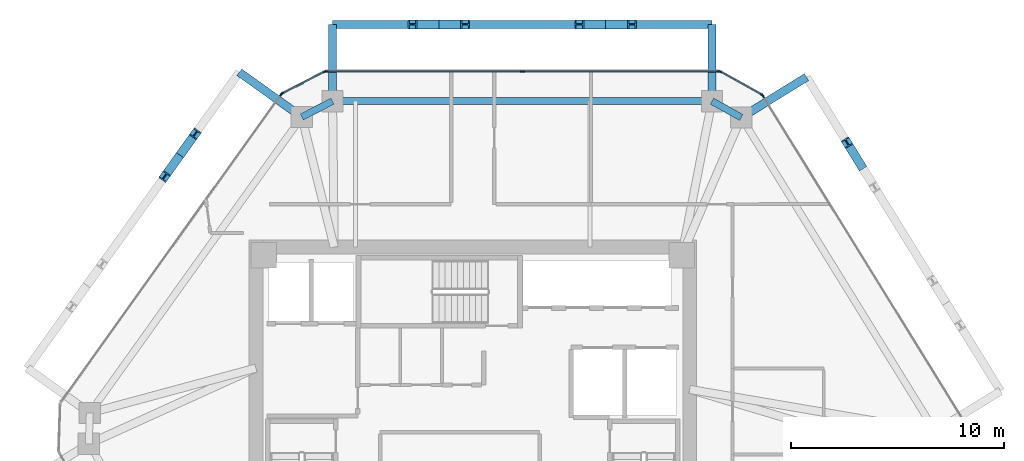
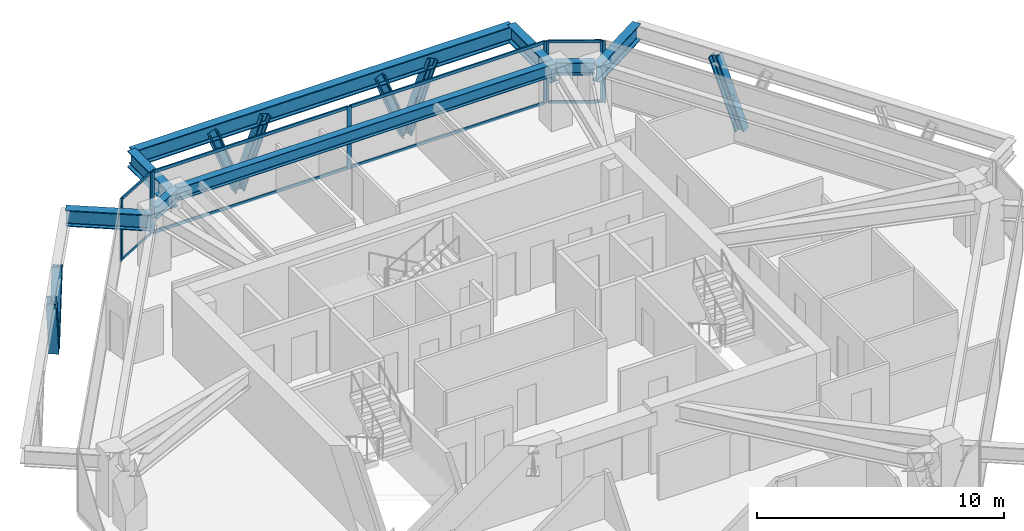
# One storey, part 6 of 11: 24 members, 8 beams, 5 elements without a shape of their own.
"""IFC4 building model written with IfcOpenShell, lengths in metres."""

import ifcopenshell
import ifcopenshell.guid

model = None  # the IFC model being written
_history = None  # IfcOwnerHistory: only IFC2X3 demands one
_inside = {}  # id of a spatial element -> (the spatial element, [elements in it])
_under = {}  # id of a project, library or spatial element -> (it, [spatial elements below it])
_declared = {}  # id of a project -> (the project, [libraries it declares])
_typed = {}  # id of a type object -> (the type object, [elements of that type])
_made_of = {}  # id of a material, layer set ... -> (it, [elements and type objects made of it])


def new_model(schema):
    """Start an empty IFC model of exactly this schema.

    Asked for "IFC4X3", IfcOpenShell would pick the latest addendum, in which some entities
    have other attributes; the version numbers below select the first issue.
    IFC2X3 requires an IfcOwnerHistory on every rooted entity: one is made here for all.
    """
    global model, _history
    if schema == "IFC4X3":
        model = ifcopenshell.file(schema_version=(4, 3, 0, 0))
    else:
        model = ifcopenshell.file(schema=schema)
    _inside.clear()
    _under.clear()
    _declared.clear()
    _typed.clear()
    _made_of.clear()
    _history = None
    if model.schema == "IFC2X3":
        org = make("IfcOrganization", Name="unknown")
        user = make(
            "IfcPersonAndOrganization",
            ThePerson=make("IfcPerson", FamilyName="unknown"),
            TheOrganization=org,
        )
        app = make(
            "IfcApplication",
            ApplicationDeveloper=org,
            Version="unknown",
            ApplicationFullName="unknown",
            ApplicationIdentifier="unknown",
        )
        _history = make(
            "IfcOwnerHistory",
            OwningUser=user,
            OwningApplication=app,
            ChangeAction="ADDED",
            CreationDate=0,
        )
    return model


def make(cls, **values):
    """One entity of the class cls with the attributes given. An attribute that is None is left unset."""
    return model.create_entity(
        cls, **{name: value for name, value in values.items() if value is not None}
    )


def rooted(cls, **values):
    """An entity with a GlobalId (a new one), such as an element, a storey or a relation."""
    return make(cls, GlobalId=ifcopenshell.guid.new(), OwnerHistory=_history, **values)


def si_unit(unit_type, name, prefix=None):
    """IfcSIUnit, for example si_unit("LENGTHUNIT", "METRE", prefix="MILLI")."""
    return make("IfcSIUnit", UnitType=unit_type, Prefix=prefix, Name=name)


def assignment(units):
    """IfcUnitAssignment: the units of a project."""
    return None if units is None else make("IfcUnitAssignment", Units=units)


def point(xyz):
    """IfcCartesianPoint."""
    return None if xyz is None else make("IfcCartesianPoint", Coordinates=xyz)


def direction(xyz):
    """IfcDirection."""
    return None if xyz is None else make("IfcDirection", DirectionRatios=xyz)


def frame(location, z_axis=None, x_axis=None):
    """IfcAxis2Placement3D, a coordinate frame: its origin and axes. An axis left out is left unset."""
    return make(
        "IfcAxis2Placement3D",
        Location=point(location),
        Axis=direction(z_axis),
        RefDirection=direction(x_axis),
    )


def frame_2d(location, x_axis=None):
    """IfcAxis2Placement2D, a coordinate frame in the plane: its origin and x axis."""
    return make(
        "IfcAxis2Placement2D", Location=point(location), RefDirection=direction(x_axis)
    )


def origin():
    """The frame at (0, 0, 0) with its axes left unset."""
    return frame((0.0, 0.0, 0.0))


def origin_2d():
    """The frame at (0, 0) in the plane with its x axis left unset."""
    return frame_2d((0.0, 0.0))


def place(relative_to, where):
    """IfcLocalPlacement: puts the frame where relative to a parent placement (None: the world)."""
    return make(
        "IfcLocalPlacement", PlacementRelTo=relative_to, RelativePlacement=where
    )


def context(
    kind, dimensions, precision=None, world=None, true_north=None, identifier=None
):
    """IfcGeometricRepresentationContext, for example the 3D "Model" context."""
    return make(
        "IfcGeometricRepresentationContext",
        ContextIdentifier=identifier,
        ContextType=kind,
        CoordinateSpaceDimension=dimensions,
        Precision=precision,
        WorldCoordinateSystem=world,
        TrueNorth=true_north,
    )


def subcontext(parent, identifier, kind, view, scale=None):
    """IfcGeometricRepresentationSubContext, for example "Body" below "Model"."""
    return make(
        "IfcGeometricRepresentationSubContext",
        ContextIdentifier=identifier,
        ContextType=kind,
        ParentContext=parent,
        TargetScale=scale,
        TargetView=view,
    )


def project(units=None, contexts=None):
    """IfcProject with its units and contexts."""
    return rooted(
        "IfcProject",
        Name="project",
        RepresentationContexts=contexts,
        UnitsInContext=assignment(units),
    )


def spatial(cls, under=None, at=None, **own):
    """A site, building, storey or space (cls), placed at a placement, below another one or the project."""
    s = rooted(cls, ObjectPlacement=at, **own)
    if under is not None:
        _under.setdefault(under.id(), (under, []))[1].append(s)
    return s


def profile(cls, at=None, kind="AREA", **sizes):
    """A parametric profile (cls). Its sizes go by their IFC names, for example OverallWidth=200.0."""
    return make(cls, ProfileType=kind, Position=at, **sizes)


def rectangle(**sizes):
    """IfcRectangleProfileDef."""
    return profile("IfcRectangleProfileDef", **sizes)


def i_section(**sizes):
    """IfcIShapeProfileDef."""
    return profile("IfcIShapeProfileDef", **sizes)


def extrude(swept, where, along, depth):
    """IfcExtrudedAreaSolid: the profile swept, set in the frame where, extruded along a direction by depth."""
    return make(
        "IfcExtrudedAreaSolid",
        SweptArea=swept,
        Position=where,
        ExtrudedDirection=direction(along),
        Depth=depth,
    )


def shape(context_of_items, identifier, shape_type, items):
    """IfcShapeRepresentation: the items that make up one representation, for example the "Body"."""
    return make(
        "IfcShapeRepresentation",
        ContextOfItems=context_of_items,
        RepresentationIdentifier=identifier,
        RepresentationType=shape_type,
        Items=items,
    )


def source(mapping_origin, context_of_items, identifier, shape_type, items):
    """IfcRepresentationMap: a shape defined once, which mapped items show again and again."""
    return make(
        "IfcRepresentationMap",
        MappingOrigin=mapping_origin,
        MappedRepresentation=shape(context_of_items, identifier, shape_type, items),
    )


def transform(
    local_origin,
    x_axis=None,
    y_axis=None,
    z_axis=None,
    scale=None,
    scale2=None,
    scale3=None,
    uniform=True,
):
    """IfcCartesianTransformationOperator3D, or its non-uniform kind. x_axis, y_axis, z_axis: its Axis1, 2, 3."""
    if uniform:
        return make(
            "IfcCartesianTransformationOperator3D",
            Axis1=direction(x_axis),
            Axis2=direction(y_axis),
            LocalOrigin=point(local_origin),
            Scale=scale,
            Axis3=direction(z_axis),
        )
    return make(
        "IfcCartesianTransformationOperator3DnonUniform",
        Axis1=direction(x_axis),
        Axis2=direction(y_axis),
        LocalOrigin=point(local_origin),
        Scale=scale,
        Axis3=direction(z_axis),
        Scale2=scale2,
        Scale3=scale3,
    )


def mapped(mapping_source, mapping_target):
    """IfcMappedItem: shows the shape of a source again, moved by a transform."""
    return make(
        "IfcMappedItem", MappingSource=mapping_source, MappingTarget=mapping_target
    )


def material(Name=None, Category=None):
    """IfcMaterial."""
    return make("IfcMaterial", Name=Name, Category=Category)


def layer(
    of_material, thickness, ventilated=None, Name=None, Category=None, Priority=None
):
    """IfcMaterialLayer: one layer of a wall or slab, of a material (None: an air gap)."""
    return make(
        "IfcMaterialLayer",
        Material=of_material,
        LayerThickness=thickness,
        IsVentilated=ventilated,
        Name=Name,
        Category=Category,
        Priority=Priority,
    )


def layer_set(layers, Name=None):
    """IfcMaterialLayerSet."""
    return make("IfcMaterialLayerSet", MaterialLayers=layers, LayerSetName=Name)


def material_profile(
    of_material, cross_section, Name=None, Category=None, Priority=None
):
    """IfcMaterialProfile: a cross section and its material."""
    return make(
        "IfcMaterialProfile",
        Name=Name,
        Material=of_material,
        Profile=cross_section,
        Priority=Priority,
        Category=Category,
    )


def profile_set(profiles, Name=None, composite=None):
    """IfcMaterialProfileSet."""
    return make(
        "IfcMaterialProfileSet",
        Name=Name,
        MaterialProfiles=profiles,
        CompositeProfile=composite,
    )


def made_of(thing, what):
    """Note that an element or type object is made of a material, layer set ...; save() writes the relation."""
    if what is not None:
        _made_of.setdefault(what.id(), (what, []))[1].append(thing)
    return thing


def type_object(cls, material=None, **own):
    """A type object (cls), such as IfcWallType, which elements share."""
    return made_of(rooted(cls, **own), material)


def type_shapes(of_type, sources):
    """Give a type object the sources (RepresentationMaps) that its elements show as mapped items."""
    of_type.RepresentationMaps = sources


def element(
    cls,
    number,
    at=None,
    inside=None,
    cuts=None,
    type_object=None,
    material=None,
    context=None,
    identifier="Body",
    shape_type=None,
    held_by="IfcProductDefinitionShape",
    body=None,
    shapes=None,
    **own,
):
    """One element of the class cls, such as IfcWall. Its Tag is "e" and its number.

    at: its placement. inside: the storey or other place that contains it. cuts: it is an
    opening in that element (IfcRelVoidsElement). A single representation is given by context,
    identifier, shape_type and body (its items); several are given by shapes. held_by: the class
    of the entity that holds the representations. save() writes the other relations.
    """
    e = rooted(cls, Tag="e%d" % number, ObjectPlacement=at, **own)
    if body is not None:
        shapes = [shape(context, identifier, shape_type, body)]
    if shapes is not None:
        e.Representation = make(held_by, Representations=shapes)
    if inside is not None:
        _inside.setdefault(inside.id(), (inside, []))[1].append(e)
    if cuts is not None:
        rooted(
            "IfcRelVoidsElement", RelatingBuildingElement=cuts, RelatedOpeningElement=e
        )
    if type_object is not None:
        _typed.setdefault(type_object.id(), (type_object, []))[1].append(e)
    return made_of(e, material)


def aggregate(whole, parts):
    """IfcRelAggregates: a whole, such as a stair, and the parts it consists of."""
    return rooted("IfcRelAggregates", RelatingObject=whole, RelatedObjects=parts)


def save(model, path):
    """Write the relations noted so far, then the file.

    IfcRelAggregates (storeys below a building ...), IfcRelContainedInSpatialStructure (elements
    in a storey), IfcRelDefinesByType, IfcRelAssociatesMaterial and IfcRelDeclares: one each for
    every whole, place, type object, material and project.
    """
    for whole, parts in _under.values():
        aggregate(whole, parts)
    for where, things in _inside.values():
        rooted(
            "IfcRelContainedInSpatialStructure",
            RelatedElements=things,
            RelatingStructure=where,
        )
    for kind, things in _typed.values():
        rooted("IfcRelDefinesByType", RelatedObjects=things, RelatingType=kind)
    for what, things in _made_of.values():
        rooted("IfcRelAssociatesMaterial", RelatedObjects=things, RelatingMaterial=what)
    for by, libraries in _declared.values():
        rooted("IfcRelDeclares", RelatingContext=by, RelatedDefinitions=libraries)
    model.write(path)


model = new_model("IFC4")

# Units and contexts
model_context = context("Model", 3, precision=1e-05, world=origin(), true_north=direction((0.0, 1.0)))
body_context = subcontext(model_context, "Body", "Model", "MODEL_VIEW")
ifc_project = project(units=[si_unit("LENGTHUNIT", "METRE"), si_unit("AREAUNIT", "SQUARE_METRE"), si_unit("VOLUMEUNIT", "CUBIC_METRE"), si_unit("PLANEANGLEUNIT", "RADIAN"), si_unit("MASSUNIT", "GRAM", prefix="KILO")], contexts=[model_context])

# Site, building, storey
site_placement = place(None, origin())
site = spatial("IfcSite", under=ifc_project, at=site_placement, CompositionType="ELEMENT")
building_placement = place(site_placement, origin())
building = spatial("IfcBuilding", under=site, at=building_placement, Name="Durnholm Broadcast Tower", CompositionType="ELEMENT")
storey_placement = place(building_placement, frame((0.0, 0.0, 190.300048828125)))
storey = spatial("IfcBuildingStorey", under=building, at=storey_placement, Name="L52", CompositionType="ELEMENT", Elevation=190.300048828125)

# Beams
ifc_material_1 = material(Name="Steel ASTM A992 Grade 50", Category="steel")
ifc_material_profile_1 = material_profile(ifc_material_1, i_section(OverallWidth=0.385009765625, OverallDepth=0.802978515625, WebThickness=0.023681640625, FlangeThickness=0.0419921875, FilletRadius=0.032958984375, at=origin_2d()), Name="W30X261")
ifc_profile_set_1 = profile_set([ifc_material_profile_1], Name="Steel ASTM A992 Grade 50")
beam_type_1 = type_object("IfcBeamType", Name="BM-EXO-TIE", PredefinedType="USERDEFINED", material=ifc_profile_set_1)
shared_shape_1 = source(origin(), body_context, "Body", "SweptSolid", [
    extrude(i_section(OverallWidth=0.385009765625, OverallDepth=0.802978515625, WebThickness=0.023681640625, FlangeThickness=0.0419921875, FilletRadius=0.032958984375, at=origin_2d()), origin(), (0.0, 0.0, 1.0), 3.4560546875),
])
for number, where, z_axis, x_axis, name in (
    (1, (12.713134765625, 14.327880859375, 2.30859375), (0.850662348375, 0.525712439512, 0.0), (-0.525712439512, 0.850662348375, 0.0), "L52 exoskeleton stand-off tie bracket F3.2"),
    (2, (-8.138916015625, 14.360107421875, 2.30859375), (-0.813079048773, 0.582153296346, 0.0), (-0.582153296346, -0.813079048773, 0.0), "L52 exoskeleton stand-off tie bracket F5.1"),
):
    element("IfcBeam", number, at=place(storey_placement, frame(where, z_axis=z_axis, x_axis=x_axis)), inside=storey, type_object=beam_type_1, Name=name, ObjectType="GIRDER", PredefinedType="USERDEFINED", context=body_context, shape_type="MappedRepresentation", body=[
        mapped(shared_shape_1, transform((0.0, 0.0, 0.0), x_axis=(1.0, 0.0, 0.0), y_axis=(0.0, 1.0, 0.0), z_axis=(0.0, 0.0, 1.0), scale=1.0)),
    ])
shared_shape_2 = source(origin(), body_context, "Body", "SweptSolid", [
    extrude(i_section(OverallWidth=0.385009765625, OverallDepth=0.802978515625, WebThickness=0.023681640625, FlangeThickness=0.0419921875, FilletRadius=0.032958984375, at=origin_2d()), origin(), (0.0, 0.0, 1.0), 3.455810546875),
])
for number, where, z_axis, x_axis, name in (
    (3, (11.217529296875, 15.162109375, 2.30859375), (0.0, 1.0, 0.0), (-1.0, 0.0, 0.0), "L52 exoskeleton stand-off tie bracket F4.1"),
    (4, (-6.57861328125, 15.162109375, 2.30859375), (0.0, 1.0, 0.0), (-1.0, 0.0, 0.0), "L52 exoskeleton stand-off tie bracket F4.2"),
):
    element("IfcBeam", number, at=place(storey_placement, frame(where, z_axis=z_axis, x_axis=x_axis)), inside=storey, type_object=beam_type_1, Name=name, ObjectType="GIRDER", PredefinedType="USERDEFINED", context=body_context, shape_type="MappedRepresentation", body=[
        mapped(shared_shape_2, transform((0.0, 0.0, 0.0), x_axis=(1.0, 0.0, 0.0), y_axis=(0.0, 1.0, 0.0), z_axis=(0.0, 0.0, 1.0), scale=1.0)),
    ])
ifc_material_profile_2 = material_profile(ifc_material_1, i_section(OverallWidth=0.3251953125, OverallDepth=0.6162109375, WebThickness=0.013916015625, FlangeThickness=0.021484375, FilletRadius=0.02783203125, at=origin_2d()), Name="W24X117")
ifc_profile_set_2 = profile_set([ifc_material_profile_2], Name="Steel ASTM A992 Grade 50")
beam_type_2 = type_object("IfcBeamType", Name="STL-SP-W24X117", PredefinedType="SPANDREL", material=ifc_profile_set_2)
shared_shape_3 = source(origin(), body_context, "Body", "SweptSolid", [
    extrude(i_section(OverallWidth=0.3251953125, OverallDepth=0.6162109375, WebThickness=0.013916015625, FlangeThickness=0.021484375, FilletRadius=0.02783203125, at=origin_2d()), origin(), (0.0, 0.0, 1.0), 1.62255859375),
])
beam_1_placement = place(storey_placement, frame((-8.021728515625, 14.2763671875, 2.73681640625), z_axis=(0.889406668864, 0.45711680934, 0.0), x_axis=(-0.45711680934, 0.889406668864, 0.0)))
element("IfcBeam", 5, at=beam_1_placement, inside=storey, type_object=beam_type_2, Name="L52 perimeter spandrel girder 04", PredefinedType="SPANDREL", context=body_context, shape_type="MappedRepresentation", body=[
    mapped(shared_shape_3, transform((0.0, 0.0, 0.0), x_axis=(1.0, 0.0, 0.0), y_axis=(0.0, 1.0, 0.0), z_axis=(0.0, 0.0, 1.0), scale=1.0)),
])
shared_shape_4 = source(origin(), body_context, "Body", "SweptSolid", [
    extrude(i_section(OverallWidth=0.3251953125, OverallDepth=0.6162109375, WebThickness=0.013916015625, FlangeThickness=0.021484375, FilletRadius=0.02783203125, at=origin_2d()), origin(), (0.0, 0.0, 1.0), 17.796142578125),
])
beam_2_placement = place(storey_placement, frame((-6.57861328125, 15.01806640625, 2.73681640625), z_axis=(1.0, 0.0, 0.0), x_axis=(0.0, 1.0, 0.0)))
element("IfcBeam", 6, at=beam_2_placement, inside=storey, type_object=beam_type_2, Name="L52 perimeter spandrel girder 05", PredefinedType="SPANDREL", context=body_context, shape_type="MappedRepresentation", body=[
    mapped(shared_shape_4, transform((0.0, 0.0, 0.0), x_axis=(1.0, 0.0, 0.0), y_axis=(0.0, 1.0, 0.0), z_axis=(0.0, 0.0, 1.0), scale=1.0)),
])
shared_shape_5 = source(origin(), body_context, "Body", "SweptSolid", [
    extrude(i_section(OverallWidth=0.3251953125, OverallDepth=0.6162109375, WebThickness=0.013916015625, FlangeThickness=0.021484375, FilletRadius=0.02783203125, at=origin_2d()), origin(), (0.0, 0.0, 1.0), 1.572509765625),
])
type_shapes(beam_type_2, [shared_shape_3, shared_shape_4, shared_shape_5])
beam_3_placement = place(storey_placement, frame((11.217529296875, 15.01806640625, 2.73681640625), z_axis=(0.873365144476, -0.487066037017, 0.0), x_axis=(0.487066037017, 0.873365144476, 0.0)))
element("IfcBeam", 7, at=beam_3_placement, inside=storey, type_object=beam_type_2, Name="L52 perimeter spandrel girder 06", PredefinedType="SPANDREL", context=body_context, shape_type="MappedRepresentation", body=[
    mapped(shared_shape_5, transform((0.0, 0.0, 0.0), x_axis=(1.0, 0.0, 0.0), y_axis=(0.0, 1.0, 0.0), z_axis=(0.0, 0.0, 1.0), scale=1.0)),
])
shared_shape_6 = source(origin(), body_context, "Body", "SweptSolid", [
    extrude(i_section(OverallWidth=0.385009765625, OverallDepth=0.802978515625, WebThickness=0.023681640625, FlangeThickness=0.0419921875, FilletRadius=0.032958984375, at=origin_2d()), origin(), (0.0, 0.0, 1.0), 17.796142578125),
])
type_shapes(beam_type_1, [shared_shape_1, shared_shape_2, shared_shape_6])
beam_4_placement = place(storey_placement, frame((11.217529296875, 18.617919921875, 2.30859375), z_axis=(-1.0, 0.0, 0.0), x_axis=(0.0, -1.0, 0.0)))
element("IfcBeam", 8, at=beam_4_placement, inside=storey, type_object=beam_type_1, Name="L52 exoskeleton collector spandrel F4", PredefinedType="SPANDREL", context=body_context, shape_type="MappedRepresentation", body=[
    mapped(shared_shape_6, transform((0.0, 0.0, 0.0), x_axis=(1.0, 0.0, 0.0), y_axis=(0.0, 1.0, 0.0), z_axis=(0.0, 0.0, 1.0), scale=1.0)),
])

# Members
ifc_material_2 = material(Name="Steel ASTM A913 Grade 65", Category="steel")
ifc_material_profile_3 = material_profile(ifc_material_2, i_section(OverallWidth=0.412109375, OverallDepth=0.434814453125, WebThickness=0.035888671875, FlangeThickness=0.057373046875, FilletRadius=0.030517578125, at=origin_2d()), Name="W14X311")
ifc_profile_set_3 = profile_set([ifc_material_profile_3], Name="Steel ASTM A913 Grade 65")
member_type_1 = type_object("IfcMemberType", Name="STL-DG-W14X311", PredefinedType="BRACE", material=ifc_profile_set_3)
shared_shape_7 = source(origin(), body_context, "Body", "SweptSolid", [
    extrude(i_section(OverallWidth=0.412109375, OverallDepth=0.434814453125, WebThickness=0.035888671875, FlangeThickness=0.057373046875, FilletRadius=0.030517578125, at=origin_2d()), origin(), (0.0, 0.0, 1.0), 3.523193359375),
])
type_shapes(member_type_1, [shared_shape_7])
for number, where, z_axis, x_axis, name in (
    (9, (18.2001953125, 12.023193359375, -0.991455078125), (-0.184115236318, 0.297965945114, 0.936652483746), (-0.850699125742, -0.525652924906, 0.0), "L52 stand-off diagrid brace F3.D2.2"),
    (10, (6.234619140625, 18.617919921875, -0.991455078125), (0.350219588454, 0.0, 0.936667625075), (0.0, 1.0, 0.0), "L52 stand-off diagrid brace F4.D1.1"),
    (11, (6.234619140625, 18.617919921875, -0.991455078125), (-0.350219588454, 0.0, 0.936667625075), (0.0, -1.0, 0.0), "L52 stand-off diagrid brace F4.D1.2"),
    (12, (-1.595703125, 18.617919921875, -0.991455078125), (0.350219588454, 0.0, 0.936667625075), (0.0, 1.0, 0.0), "L52 stand-off diagrid brace F4.D2.1"),
    (13, (-1.595703125, 18.617919921875, -0.991455078125), (-0.350219588454, 0.0, 0.936667625075), (0.0, -1.0, 0.0), "L52 stand-off diagrid brace F4.D2.2"),
    (14, (-13.731689453125, 12.485595703125, -0.991455078125), (0.203869234398, 0.284737826017, 0.936675880815), (-0.813077820009, 0.582155012526, 0.0), "L52 stand-off diagrid brace F5.D1.1"),
    (15, (-13.731689453125, 12.485595703125, -0.991455078125), (-0.203869234398, -0.284737826017, 0.936675880815), (0.813077820009, -0.582155012526, 0.0), "L52 stand-off diagrid brace F5.D1.2"),
):
    element("IfcMember", number, at=place(storey_placement, frame(where, z_axis=z_axis, x_axis=x_axis)), inside=storey, type_object=member_type_1, Name=name, PredefinedType="BRACE", context=body_context, shape_type="MappedRepresentation", body=[
        mapped(shared_shape_7, transform((0.0, 0.0, 0.0), x_axis=(1.0, 0.0, 0.0), y_axis=(0.0, 1.0, 0.0), z_axis=(0.0, 0.0, 1.0), scale=1.0)),
    ])

# Curtain wall, members
ifc_material_3 = material(Name="Aluminium and Solar Control IGU", Category="aluminium")
ifc_layer_1 = layer(ifc_material_3, 0.1650390625)
ifc_layer_set_1 = layer_set([ifc_layer_1], Name="Aluminium and Solar Control IGU")
curtain_wall_type_1 = type_object("IfcCurtainWallType", Name="CW-SYS-5", PredefinedType="NOTDEFINED", material=ifc_layer_set_1)
curtain_wall_1_placement = place(storey_placement, origin())
curtain_wall_1 = element("IfcCurtainWall", 16, at=curtain_wall_1_placement, inside=storey, type_object=curtain_wall_type_1, Name="L52 curtain wall CW-CORNER CW-L52-CRN-03", PredefinedType="NOTDEFINED")
ifc_material_4 = material(Name="Aluminium 6063-T6", Category="aluminium")
ifc_material_profile_4 = material_profile(ifc_material_4, rectangle(XDim=0.06494140625, YDim=0.1650390625, at=origin_2d()), Name="CWM65X165")
ifc_profile_set_4 = profile_set([ifc_material_profile_4], Name="Aluminium 6063-T6")
member_type_2 = type_object("IfcMemberType", Name="CW-SYS-5-MUL", PredefinedType="MULLION", material=ifc_profile_set_4)
shared_shape_8 = source(origin(), body_context, "Body", "SweptSolid", [
    extrude(rectangle(XDim=0.06494140625, YDim=0.1650390625, at=origin_2d()), origin(), (0.0, 0.0, 1.0), 3.06005859375),
])
type_shapes(member_type_2, [shared_shape_8])
member_1_placement = place(storey_placement, frame((-8.93408203125, 15.381591796875, 0.0), z_axis=(0.0, 0.0, 1.0), x_axis=(-0.457081764476, 0.889424679545, 0.0)))
member_1 = element("IfcMember", 17, at=member_1_placement, type_object=member_type_2, Name="CW-CORNER mullion 1", PredefinedType="MULLION", context=body_context, shape_type="MappedRepresentation", body=[
    mapped(shared_shape_8, transform((0.0, 0.0, 0.0), x_axis=(1.0, 0.0, 0.0), y_axis=(0.0, 1.0, 0.0), z_axis=(0.0, 0.0, 1.0), scale=1.0)),
])
member_2_placement = place(storey_placement, frame((-6.9462890625, 16.403076171875, 0.0), z_axis=(0.0, 0.0, 1.0), x_axis=(-0.457081764476, 0.889424679545, 0.0)))
member_2 = element("IfcMember", 18, at=member_2_placement, type_object=member_type_2, Name="CW-CORNER mullion 2", PredefinedType="MULLION", context=body_context, shape_type="MappedRepresentation", body=[
    mapped(shared_shape_8, transform((0.0, 0.0, 0.0), x_axis=(1.0, 0.0, 0.0), y_axis=(0.0, 1.0, 0.0), z_axis=(0.0, 0.0, 1.0), scale=1.0)),
])

curtain_wall_2_placement = place(storey_placement, origin())
curtain_wall_2 = element("IfcCurtainWall", 19, at=curtain_wall_2_placement, inside=storey, type_object=curtain_wall_type_1, Name="L52 curtain wall CW-CORNER CW-L52-CRN-05", PredefinedType="NOTDEFINED")
member_3_placement = place(storey_placement, frame((11.60986328125, 16.402099609375, 0.0), z_axis=(0.0, 0.0, 1.0), x_axis=(0.486986043316, 0.873409751271, 0.0)))
member_3 = element("IfcMember", 20, at=member_3_placement, type_object=member_type_2, Name="CW-CORNER mullion 1", PredefinedType="MULLION", context=body_context, shape_type="MappedRepresentation", body=[
    mapped(shared_shape_8, transform((0.0, 0.0, 0.0), x_axis=(1.0, 0.0, 0.0), y_axis=(0.0, 1.0, 0.0), z_axis=(0.0, 0.0, 1.0), scale=1.0)),
])
member_4_placement = place(storey_placement, frame((13.56201171875, 15.313720703125, 0.0), z_axis=(0.0, 0.0, 1.0), x_axis=(0.486986043316, 0.873409751271, 0.0)))
member_4 = element("IfcMember", 21, at=member_4_placement, type_object=member_type_2, Name="CW-CORNER mullion 2", PredefinedType="MULLION", context=body_context, shape_type="MappedRepresentation", body=[
    mapped(shared_shape_8, transform((0.0, 0.0, 0.0), x_axis=(1.0, 0.0, 0.0), y_axis=(0.0, 1.0, 0.0), z_axis=(0.0, 0.0, 1.0), scale=1.0)),
])

# Member
ifc_material_profile_5 = material_profile(ifc_material_4, rectangle(XDim=0.06494140625, YDim=0.1298828125, at=origin_2d()), Name="CWT65X130")
ifc_profile_set_5 = profile_set([ifc_material_profile_5], Name="Aluminium 6063-T6")
member_type_3 = type_object("IfcMemberType", Name="CW-SYS-5-TRN", PredefinedType="USERDEFINED", material=ifc_profile_set_5)
shared_shape_9 = source(origin(), body_context, "Body", "SweptSolid", [
    extrude(rectangle(XDim=0.06494140625, YDim=0.1298828125, at=origin_2d()), origin(), (0.0, 0.0, 1.0), 2.169921875),
])
type_shapes(member_type_3, [shared_shape_9])
member_5_placement = place(storey_placement, frame((-8.9052734375, 15.396484375, 0.032470703125), z_axis=(0.889468148591, 0.456997169185, 0.0), x_axis=(-0.456997169185, 0.889468148591, 0.0)))
member_5 = element("IfcMember", 22, at=member_5_placement, type_object=member_type_3, Name="CW-CORNER transom 1.1", ObjectType="TRANSOM", PredefinedType="USERDEFINED", context=body_context, shape_type="MappedRepresentation", body=[
    mapped(shared_shape_9, transform((0.0, 0.0, 0.0), x_axis=(1.0, 0.0, 0.0), y_axis=(0.0, 1.0, 0.0), z_axis=(0.0, 0.0, 1.0), scale=1.0)),
])

member_6_placement = place(storey_placement, frame((-8.9052734375, 15.396484375, 3.02734375), z_axis=(0.889468148591, 0.456997169185, 0.0), x_axis=(-0.456997169185, 0.889468148591, 0.0)))
member_6 = element("IfcMember", 23, at=member_6_placement, type_object=member_type_3, Name="CW-CORNER transom 1.2", ObjectType="TRANSOM", PredefinedType="USERDEFINED", context=body_context, shape_type="MappedRepresentation", body=[
    mapped(shared_shape_9, transform((0.0, 0.0, 0.0), x_axis=(1.0, 0.0, 0.0), y_axis=(0.0, 1.0, 0.0), z_axis=(0.0, 0.0, 1.0), scale=1.0)),
])

aggregate(curtain_wall_1, [member_1, member_2, member_5, member_6])

member_7_placement = place(storey_placement, frame((11.63818359375, 16.38623046875, 0.032470703125), z_axis=(0.873429215361, -0.48695113282, 0.0), x_axis=(0.48695113282, 0.873429215361, 0.0)))
member_7 = element("IfcMember", 24, at=member_7_placement, type_object=member_type_3, Name="CW-CORNER transom 1.1", ObjectType="TRANSOM", PredefinedType="USERDEFINED", context=body_context, shape_type="MappedRepresentation", body=[
    mapped(shared_shape_9, transform((0.0, 0.0, 0.0), x_axis=(1.0, 0.0, 0.0), y_axis=(0.0, 1.0, 0.0), z_axis=(0.0, 0.0, 1.0), scale=1.0)),
])

member_8_placement = place(storey_placement, frame((11.63818359375, 16.38623046875, 3.02734375), z_axis=(0.873429215361, -0.48695113282, 0.0), x_axis=(0.48695113282, 0.873429215361, 0.0)))
member_8 = element("IfcMember", 25, at=member_8_placement, type_object=member_type_3, Name="CW-CORNER transom 1.2", ObjectType="TRANSOM", PredefinedType="USERDEFINED", context=body_context, shape_type="MappedRepresentation", body=[
    mapped(shared_shape_9, transform((0.0, 0.0, 0.0), x_axis=(1.0, 0.0, 0.0), y_axis=(0.0, 1.0, 0.0), z_axis=(0.0, 0.0, 1.0), scale=1.0)),
])

aggregate(curtain_wall_2, [member_3, member_4, member_7, member_8])

# Curtain wall, members
ifc_layer_2 = layer(ifc_material_3, 0.18994140625)
ifc_layer_set_2 = layer_set([ifc_layer_2], Name="Aluminium and Solar Control IGU")
curtain_wall_type_2 = type_object("IfcCurtainWallType", Name="CW-SYS-4", PredefinedType="NOTDEFINED", material=ifc_layer_set_2)
curtain_wall_3_placement = place(storey_placement, origin())
curtain_wall_3 = element("IfcCurtainWall", 26, at=curtain_wall_3_placement, inside=storey, type_object=curtain_wall_type_2, Name="L52 curtain wall CW-Z34-VIS CW-L52-F04", PredefinedType="NOTDEFINED")
ifc_material_profile_6 = material_profile(ifc_material_4, rectangle(XDim=0.070068359375, YDim=0.14990234375, at=origin_2d()), Name="CWT70X150")
ifc_profile_set_6 = profile_set([ifc_material_profile_6], Name="Aluminium 6063-T6")
member_type_4 = type_object("IfcMemberType", Name="CW-SYS-4-TRN", PredefinedType="USERDEFINED", material=ifc_profile_set_6)
shared_shape_10 = source(origin(), body_context, "Body", "SweptSolid", [
    extrude(rectangle(XDim=0.070068359375, YDim=0.14990234375, at=origin_2d()), origin(), (0.0, 0.0, 1.0), 9.14453125),
])
type_shapes(member_type_4, [shared_shape_10])
member_9_placement = place(storey_placement, frame((-6.847412109375, 16.41796875, 0.034912109375), z_axis=(1.0, 0.0, 0.0), x_axis=(0.0, 1.0, 0.0)))
member_9 = element("IfcMember", 27, at=member_9_placement, type_object=member_type_4, Name="CW-Z34-VIS transom 1.1", ObjectType="TRANSOM", PredefinedType="USERDEFINED", context=body_context, shape_type="MappedRepresentation", body=[
    mapped(shared_shape_10, transform((0.0, 0.0, 0.0), x_axis=(1.0, 0.0, 0.0), y_axis=(0.0, 1.0, 0.0), z_axis=(0.0, 0.0, 1.0), scale=1.0)),
])
member_10_placement = place(storey_placement, frame((-6.847412109375, 16.41796875, 3.02490234375), z_axis=(1.0, 0.0, 0.0), x_axis=(0.0, 1.0, 0.0)))
member_10 = element("IfcMember", 28, at=member_10_placement, type_object=member_type_4, Name="CW-Z34-VIS transom 1.2", ObjectType="TRANSOM", PredefinedType="USERDEFINED", context=body_context, shape_type="MappedRepresentation", body=[
    mapped(shared_shape_10, transform((0.0, 0.0, 0.0), x_axis=(1.0, 0.0, 0.0), y_axis=(0.0, 1.0, 0.0), z_axis=(0.0, 0.0, 1.0), scale=1.0)),
])
member_11_placement = place(storey_placement, frame((2.366943359375, 16.41796875, 0.034912109375), z_axis=(1.0, 0.0, 0.0), x_axis=(0.0, 1.0, 0.0)))
member_11 = element("IfcMember", 29, at=member_11_placement, type_object=member_type_4, Name="CW-Z34-VIS transom 2.1", ObjectType="TRANSOM", PredefinedType="USERDEFINED", context=body_context, shape_type="MappedRepresentation", body=[
    mapped(shared_shape_10, transform((0.0, 0.0, 0.0), x_axis=(1.0, 0.0, 0.0), y_axis=(0.0, 1.0, 0.0), z_axis=(0.0, 0.0, 1.0), scale=1.0)),
])
member_12_placement = place(storey_placement, frame((2.366943359375, 16.41796875, 3.02490234375), z_axis=(1.0, 0.0, 0.0), x_axis=(0.0, 1.0, 0.0)))
member_12 = element("IfcMember", 30, at=member_12_placement, type_object=member_type_4, Name="CW-Z34-VIS transom 2.2", ObjectType="TRANSOM", PredefinedType="USERDEFINED", context=body_context, shape_type="MappedRepresentation", body=[
    mapped(shared_shape_10, transform((0.0, 0.0, 0.0), x_axis=(1.0, 0.0, 0.0), y_axis=(0.0, 1.0, 0.0), z_axis=(0.0, 0.0, 1.0), scale=1.0)),
])

# Curtain wall, member
curtain_wall_4_placement = place(storey_placement, origin())
curtain_wall_4 = element("IfcCurtainWall", 31, at=curtain_wall_4_placement, inside=storey, type_object=curtain_wall_type_2, Name="L52 curtain wall CW-Z34-VIS CW-L52-F02", PredefinedType="NOTDEFINED")
ifc_material_profile_7 = material_profile(ifc_material_4, rectangle(XDim=0.070068359375, YDim=0.18994140625, at=origin_2d()), Name="CWM70X190")
ifc_profile_set_7 = profile_set([ifc_material_profile_7], Name="Aluminium 6063-T6")
member_type_5 = type_object("IfcMemberType", Name="CW-SYS-4-MUL", PredefinedType="MULLION", material=ifc_profile_set_7)
shared_shape_11 = source(origin(), body_context, "Body", "SweptSolid", [
    extrude(rectangle(XDim=0.070068359375, YDim=0.18994140625, at=origin_2d()), origin(), (0.0, 0.0, 1.0), 3.06005859375),
])
type_shapes(member_type_5, [shared_shape_11])
member_13_placement = place(storey_placement, frame((-8.9833984375, 15.338134765625, 0.0), z_axis=(0.0, 0.0, 1.0), x_axis=(-0.813089262696, 0.582139030549, 0.0)))
member_13 = element("IfcMember", 32, at=member_13_placement, type_object=member_type_5, Name="CW-Z34-VIS mullion 2", PredefinedType="MULLION", context=body_context, shape_type="MappedRepresentation", body=[
    mapped(shared_shape_11, transform((0.0, 0.0, 0.0), x_axis=(1.0, 0.0, 0.0), y_axis=(0.0, 1.0, 0.0), z_axis=(0.0, 0.0, 1.0), scale=1.0)),
])
aggregate(curtain_wall_4, [member_13])

# Member
member_14_placement = place(storey_placement, frame((-6.88232421875, 16.41796875, 0.0), z_axis=(0.0, 0.0, 1.0), x_axis=(0.0, 1.0, 0.0)))
member_14 = element("IfcMember", 33, at=member_14_placement, type_object=member_type_5, Name="CW-Z34-VIS mullion 1", PredefinedType="MULLION", context=body_context, shape_type="MappedRepresentation", body=[
    mapped(shared_shape_11, transform((0.0, 0.0, 0.0), x_axis=(1.0, 0.0, 0.0), y_axis=(0.0, 1.0, 0.0), z_axis=(0.0, 0.0, 1.0), scale=1.0)),
])

member_15_placement = place(storey_placement, frame((2.33203125, 16.41796875, 0.0), z_axis=(0.0, 0.0, 1.0), x_axis=(0.0, 1.0, 0.0)))
member_15 = element("IfcMember", 34, at=member_15_placement, type_object=member_type_5, Name="CW-Z34-VIS mullion 2", PredefinedType="MULLION", context=body_context, shape_type="MappedRepresentation", body=[
    mapped(shared_shape_11, transform((0.0, 0.0, 0.0), x_axis=(1.0, 0.0, 0.0), y_axis=(0.0, 1.0, 0.0), z_axis=(0.0, 0.0, 1.0), scale=1.0)),
])

member_16_placement = place(storey_placement, frame((11.54638671875, 16.41796875, 0.0), z_axis=(0.0, 0.0, 1.0), x_axis=(0.0, 1.0, 0.0)))
member_16 = element("IfcMember", 35, at=member_16_placement, type_object=member_type_5, Name="CW-Z34-VIS mullion 3", PredefinedType="MULLION", context=body_context, shape_type="MappedRepresentation", body=[
    mapped(shared_shape_11, transform((0.0, 0.0, 0.0), x_axis=(1.0, 0.0, 0.0), y_axis=(0.0, 1.0, 0.0), z_axis=(0.0, 0.0, 1.0), scale=1.0)),
])

aggregate(curtain_wall_3, [member_14, member_15, member_16, member_9, member_10, member_11, member_12])

# Curtain wall, member
curtain_wall_5_placement = place(storey_placement, origin())
curtain_wall_5 = element("IfcCurtainWall", 36, at=curtain_wall_5_placement, inside=storey, type_object=curtain_wall_type_2, Name="L52 curtain wall CW-Z34-VIS CW-L52-F06", PredefinedType="NOTDEFINED")
member_17_placement = place(storey_placement, frame((13.608642578125, 15.26806640625, 0.0), z_axis=(0.0, 0.0, 1.0), x_axis=(0.850671426092, 0.525697750452, 0.0)))
member_17 = element("IfcMember", 37, at=member_17_placement, type_object=member_type_5, Name="CW-Z34-VIS mullion 1", PredefinedType="MULLION", context=body_context, shape_type="MappedRepresentation", body=[
    mapped(shared_shape_11, transform((0.0, 0.0, 0.0), x_axis=(1.0, 0.0, 0.0), y_axis=(0.0, 1.0, 0.0), z_axis=(0.0, 0.0, 1.0), scale=1.0)),
])
aggregate(curtain_wall_5, [member_17])

save(model, "model.ifc")
